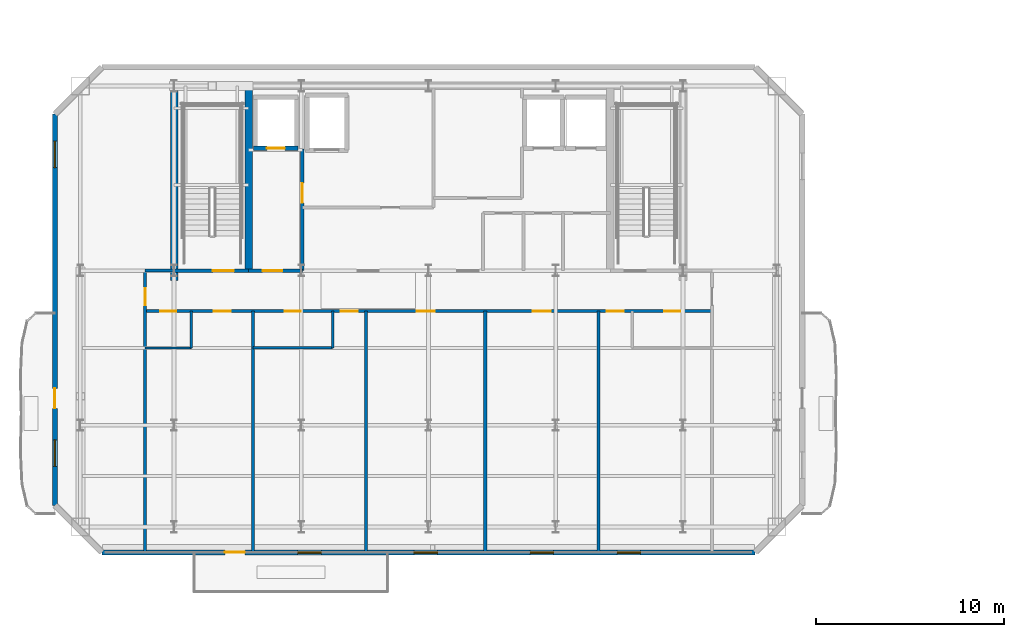
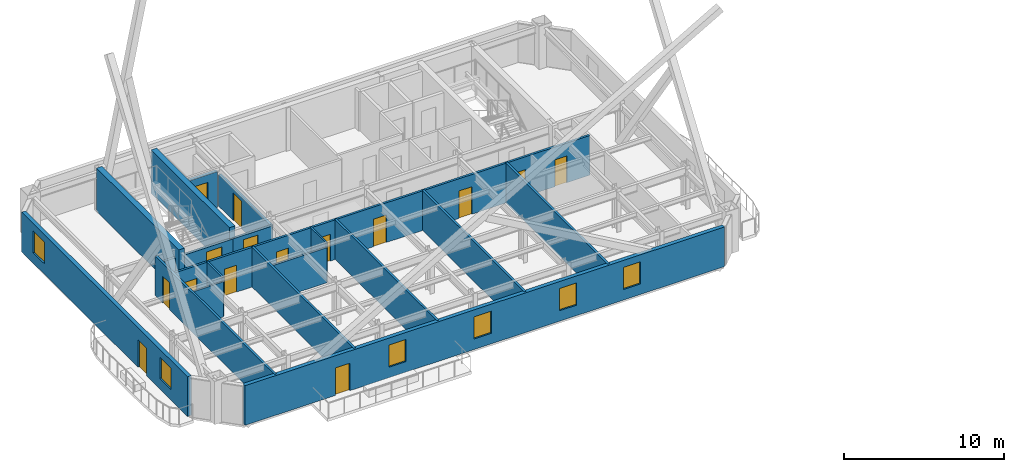
# One storey, part 3 of 9: 19 walls, 15 doors, 6 windows, 21 openings.
"""IFC4 building model written with IfcOpenShell, lengths in metres."""

from ifc_helpers import new_model, si_unit, direction, frame, frame_2d, origin, place, context, subcontext, project, spatial, rectangle, extrude, material, layer, layer_set, type_object, element, fill, save


model = new_model("IFC4")

# Units and contexts
model_context = context("Model", 3, precision=1e-05, world=origin(), true_north=direction((0.0, 1.0)))
body_context = subcontext(model_context, "Body", "Model", "MODEL_VIEW")
ifc_project = project(units=[si_unit("LENGTHUNIT", "METRE"), si_unit("AREAUNIT", "SQUARE_METRE"), si_unit("VOLUMEUNIT", "CUBIC_METRE"), si_unit("PLANEANGLEUNIT", "RADIAN"), si_unit("MASSUNIT", "GRAM", prefix="KILO")], contexts=[model_context])

# Site, building, storey
site_placement = place(None, origin())
site = spatial("IfcSite", under=ifc_project, at=site_placement, CompositionType="ELEMENT")
building_placement = place(site_placement, origin())
building = spatial("IfcBuilding", under=site, at=building_placement, Name="Haevon Station Towers", CompositionType="ELEMENT")
storey_placement = place(building_placement, frame((0.0, 0.0, 239.39990234375)))
storey = spatial("IfcBuildingStorey", under=building, at=storey_placement, Name="L66", CompositionType="ELEMENT", Elevation=239.39990234375)

# Wall, opening, door
ifc_material_1 = material(Name="Gypsum board on steel stud", Category="steel")
ifc_layer_1 = layer(ifc_material_1, 0.199951171875)
ifc_layer_set_1 = layer_set([ifc_layer_1], Name="Gypsum board on steel stud")
wall_type_1 = type_object("IfcWallType", Name="WL-COR200", PredefinedType="PARTITIONING", material=ifc_layer_set_1)
wall_1_placement = place(storey_placement, frame((24.0, 38.199951171875, 0.0), z_axis=(0.0, 0.0, 1.0), x_axis=(1.0, 0.0, 0.0)))
wall_1 = element("IfcWall", 1, at=wall_1_placement, inside=storey, type_object=wall_type_1, Name="WL-ST-ST1-L66", PredefinedType="PARTITIONING", context=body_context, shape_type="SweptSolid", body=[
    extrude(rectangle(XDim=3.949951171875, YDim=0.199951171875, at=frame_2d((1.97509765625, 0.0))), origin(), (0.0, 0.0, 1.0), 2.43017578125),
])
opening_1_placement = place(wall_1_placement, frame((2.050048828125, 0.0, 0.0)))
opening_1 = element("IfcOpeningElement", 2, at=opening_1_placement, cuts=wall_1, Name="Opening DR-ST-ST1-L66", PredefinedType="OPENING", context=body_context, shape_type="SweptSolid", body=[
    extrude(rectangle(XDim=1.1201171875, YDim=2.10009765625, at=frame_2d((0.56005859375, 1.050048828125))), frame((0.0, 0.10986328125, 0.0), z_axis=(0.0, -1.0, 0.0), x_axis=(1.0, 0.0, 0.0)), (0.0, 0.0, 1.0), 0.219970703125),
])
ifc_material_2 = material(Name="Engineered oak timber", Category="wood")
door_type_1 = type_object("IfcDoorType", Name="DR-ST-1120", OperationType="NOTDEFINED", PredefinedType="DOOR", material=ifc_material_2)
door_1_placement = place(opening_1_placement, origin())
door_1 = element("IfcDoor", 3, at=door_1_placement, inside=storey, type_object=door_type_1, Name="L66 Escape Stair ST1 Fire Door", OperationType="SINGLE_SWING_RIGHT", OverallHeight=2.10009765625, OverallWidth=1.1201171875, PredefinedType="DOOR", context=body_context, shape_type="SweptSolid", body=[
    extrude(rectangle(XDim=1.1201171875, YDim=2.10009765625, at=frame_2d((0.56005859375, 1.050048828125))), frame((0.0, 0.02490234375, 0.0), z_axis=(0.0, -1.0, 0.0), x_axis=(1.0, 0.0, 0.0)), (0.0, 0.0, 1.0), 0.050048828125),
])
fill(opening_1, door_1)

wall_2_placement = place(storey_placement, frame((30.800048828125, 38.199951171875, 0.0), z_axis=(0.0, 0.0, 1.0), x_axis=(0.0, 1.0, 0.0)))
wall_2 = element("IfcWall", 4, at=wall_2_placement, inside=storey, type_object=wall_type_1, Name="WL-T1FFL-L66-E", PredefinedType="PARTITIONING", context=body_context, shape_type="SweptSolid", body=[
    extrude(rectangle(XDim=6.449951171875, YDim=0.199951171875, at=frame_2d((3.22509765625, 0.0))), origin(), (0.0, 0.0, 1.0), 2.43017578125),
])
opening_2_placement = place(wall_2_placement, frame((3.590087890625, 0.0, 0.0)))
opening_2 = element("IfcOpeningElement", 5, at=opening_2_placement, cuts=wall_2, Name="Opening DR-T1FFL-L66-E", PredefinedType="OPENING", context=body_context, shape_type="SweptSolid", body=[
    extrude(rectangle(XDim=1.050048828125, YDim=2.10009765625, at=frame_2d((0.52490234375, 1.050048828125))), frame((0.0, 0.10986328125, 0.0), z_axis=(0.0, -1.0, 0.0), x_axis=(1.0, 0.0, 0.0)), (0.0, 0.0, 1.0), 0.219970703125),
])
door_type_2 = type_object("IfcDoorType", Name="DR-FD60-1050", OperationType="NOTDEFINED", PredefinedType="DOOR", material=ifc_material_2)
door_2_placement = place(opening_2_placement, origin())
door_2 = element("IfcDoor", 6, at=door_2_placement, inside=storey, type_object=door_type_2, Name="L66 Tower 1 Firefighting Lift Lobby Door E", OperationType="SINGLE_SWING_RIGHT", OverallHeight=2.10009765625, OverallWidth=1.050048828125, PredefinedType="DOOR", context=body_context, shape_type="SweptSolid", body=[
    extrude(rectangle(XDim=1.050048828125, YDim=2.10009765625, at=frame_2d((0.52490234375, 1.050048828125))), frame((0.0, 0.02490234375, 0.0), z_axis=(0.0, -1.0, 0.0), x_axis=(1.0, 0.0, 0.0)), (0.0, 0.0, 1.0), 0.050048828125),
])
fill(opening_2, door_2)

wall_3_placement = place(storey_placement, frame((27.949951171875, 38.199951171875, 0.0), z_axis=(0.0, 0.0, 1.0), x_axis=(1.0, 0.0, 0.0)))
wall_3 = element("IfcWall", 7, at=wall_3_placement, inside=storey, type_object=wall_type_1, Name="WL-T1FFL-L66-S", PredefinedType="PARTITIONING", context=body_context, shape_type="SweptSolid", body=[
    extrude(rectangle(XDim=2.85009765625, YDim=0.199951171875, at=frame_2d((1.425048828125, 0.0))), origin(), (0.0, 0.0, 1.0), 2.43017578125),
])
opening_3_placement = place(wall_3_placement, frame((0.75, 0.0, 0.0)))
opening_3 = element("IfcOpeningElement", 8, at=opening_3_placement, cuts=wall_3, Name="Opening DR-T1FFL-L66-S", PredefinedType="OPENING", context=body_context, shape_type="SweptSolid", body=[
    extrude(rectangle(XDim=1.050048828125, YDim=2.10009765625, at=frame_2d((0.52490234375, 1.050048828125))), frame((0.0, 0.10986328125, 0.0), z_axis=(0.0, -1.0, 0.0), x_axis=(1.0, 0.0, 0.0)), (0.0, 0.0, 1.0), 0.219970703125),
])
door_3_placement = place(opening_3_placement, origin())
door_3 = element("IfcDoor", 9, at=door_3_placement, inside=storey, type_object=door_type_2, Name="L66 Tower 1 Firefighting Lift Lobby Door S", OperationType="SINGLE_SWING_LEFT", OverallHeight=2.10009765625, OverallWidth=1.050048828125, PredefinedType="DOOR", context=body_context, shape_type="SweptSolid", body=[
    extrude(rectangle(XDim=1.050048828125, YDim=2.10009765625, at=frame_2d((0.52490234375, 1.050048828125))), frame((0.0, 0.02490234375, 0.0), z_axis=(0.0, -1.0, 0.0), x_axis=(1.0, 0.0, 0.0)), (0.0, 0.0, 1.0), 0.050048828125),
])
fill(opening_3, door_3)

# Walls
ifc_material_3 = material(Name="Concrete C60/75", Category="concrete")
ifc_layer_2 = layer(ifc_material_3, 0.39990234375)
ifc_layer_set_2 = layer_set([ifc_layer_2], Name="Concrete C60/75")
wall_type_2 = type_object("IfcWallType", Name="WL-CR400", PredefinedType="SHEAR", material=ifc_layer_set_2)
wall_4_placement = place(storey_placement, frame((24.0, 37.679931640625, 0.0), z_axis=(0.0, 0.0, 1.0), x_axis=(0.0, 1.0, 0.0)))
element("IfcWall", 10, at=wall_4_placement, inside=storey, type_object=wall_type_2, Name="WL-T1CR-L66-W", PredefinedType="SHEAR", context=body_context, shape_type="SweptSolid", body=[
    extrude(rectangle(XDim=10.320068359375, YDim=0.39990234375, at=frame_2d((5.16015625, 0.0))), origin(), (0.0, 0.0, 1.0), 3.300048828125),
])
wall_5_placement = place(storey_placement, frame((27.949951171875, 38.199951171875, 0.0), z_axis=(0.0, 0.0, 1.0), x_axis=(0.0, 1.0, 0.0)))
element("IfcWall", 11, at=wall_5_placement, inside=storey, type_object=wall_type_2, Name="WL-T1CR-L66-M1", PredefinedType="SHEAR", context=body_context, shape_type="SweptSolid", body=[
    extrude(rectangle(XDim=9.800048828125, YDim=0.39990234375, at=frame_2d((4.89990234375, 0.0))), origin(), (0.0, 0.0, 1.0), 3.300048828125),
])

# Wall, openings, door, windows
ifc_material_4 = material(Name="Precast concrete C45/55", Category="concrete")
ifc_layer_3 = layer(ifc_material_4, 0.280029296875)
ifc_layer_set_3 = layer_set([ifc_layer_3], Name="Precast concrete C45/55")
wall_type_3 = type_object("IfcWallType", Name="WL-EXT-PIER280", PredefinedType="SOLIDWALL", material=ifc_layer_set_3)
wall_6_placement = place(storey_placement, frame((54.824951171875, 23.25, 0.0), z_axis=(0.0, 0.0, 1.0), x_axis=(-1.0, 0.0, 0.0)))
wall_6 = element("IfcWall", 12, at=wall_6_placement, inside=storey, type_object=wall_type_3, Name="WL-T1-L66-S", PredefinedType="SOLIDWALL", context=body_context, shape_type="SweptSolid", body=[
    extrude(rectangle(XDim=34.64990234375, YDim=0.280029296875, at=frame_2d((17.324951171875, 0.0))), origin(), (0.0, 0.0, 1.0), 3.030029296875),
])
opening_4_placement = place(wall_6_placement, frame((27.076904296875, 0.0, 0.0)))
opening_4 = element("IfcOpeningElement", 13, at=opening_4_placement, cuts=wall_6, Name="Opening DR-T1-PBAND-L66-1", PredefinedType="OPENING", context=body_context, shape_type="SweptSolid", body=[
    extrude(rectangle(XDim=1.050048828125, YDim=2.10009765625, at=frame_2d((0.52490234375, 1.050048828125))), frame((0.0, 0.14990234375, 0.0), z_axis=(0.0, -1.0, 0.0), x_axis=(1.0, 0.0, 0.0)), (0.0, 0.0, 1.0), 0.300048828125),
])
opening_5_placement = place(wall_6_placement, frame((23.01611328125, 0.0, 0.800048828125)))
opening_5 = element("IfcOpeningElement", 14, at=opening_5_placement, cuts=wall_6, Name="Opening WN-P125", PredefinedType="OPENING", context=body_context, shape_type="SweptSolid", body=[
    extrude(rectangle(XDim=1.25, YDim=1.699951171875, at=frame_2d((0.625, 0.85009765625))), frame((0.0, 0.14990234375, 0.0), z_axis=(0.0, -1.0, 0.0), x_axis=(1.0, 0.0, 0.0)), (0.0, 0.0, 1.0), 0.300048828125),
])
opening_6_placement = place(wall_6_placement, frame((16.850341796875, 0.0, 0.800048828125)))
opening_6 = element("IfcOpeningElement", 15, at=opening_6_placement, cuts=wall_6, Name="Opening WN-P125", PredefinedType="OPENING", context=body_context, shape_type="SweptSolid", body=[
    extrude(rectangle(XDim=1.25, YDim=1.699951171875, at=frame_2d((0.625, 0.85009765625))), frame((0.0, 0.14990234375, 0.0), z_axis=(0.0, -1.0, 0.0), x_axis=(1.0, 0.0, 0.0)), (0.0, 0.0, 1.0), 0.300048828125),
])
opening_7_placement = place(wall_6_placement, frame((10.684814453125, 0.0, 0.800048828125)))
opening_7 = element("IfcOpeningElement", 16, at=opening_7_placement, cuts=wall_6, Name="Opening WN-P125", PredefinedType="OPENING", context=body_context, shape_type="SweptSolid", body=[
    extrude(rectangle(XDim=1.25, YDim=1.699951171875, at=frame_2d((0.625, 0.85009765625))), frame((0.0, 0.14990234375, 0.0), z_axis=(0.0, -1.0, 0.0), x_axis=(1.0, 0.0, 0.0)), (0.0, 0.0, 1.0), 0.300048828125),
])
opening_8_placement = place(wall_6_placement, frame((6.0712890625, 0.0, 0.800048828125)))
opening_8 = element("IfcOpeningElement", 17, at=opening_8_placement, cuts=wall_6, Name="Opening WN-P125", PredefinedType="OPENING", context=body_context, shape_type="SweptSolid", body=[
    extrude(rectangle(XDim=1.25, YDim=1.699951171875, at=frame_2d((0.625, 0.85009765625))), frame((0.0, 0.14990234375, 0.0), z_axis=(0.0, -1.0, 0.0), x_axis=(1.0, 0.0, 0.0)), (0.0, 0.0, 1.0), 0.300048828125),
])
ifc_material_5 = material(Name="Thermally broken anodised aluminium and laminated safety glass", Category="aluminium")
door_type_3 = type_object("IfcDoorType", Name="DR-BALC-1050", OperationType="NOTDEFINED", PredefinedType="DOOR", material=ifc_material_5)
door_4_placement = place(opening_4_placement, origin())
door_4 = element("IfcDoor", 18, at=door_4_placement, inside=storey, type_object=door_type_3, Name="Tower 1 L66 Balcony Terrace Door", OperationType="SINGLE_SWING_RIGHT", OverallHeight=2.10009765625, OverallWidth=1.050048828125, PredefinedType="DOOR", context=body_context, shape_type="SweptSolid", body=[
    extrude(rectangle(XDim=1.050048828125, YDim=2.10009765625, at=frame_2d((0.52490234375, 1.050048828125))), frame((0.0, 0.02490234375, 0.0), z_axis=(0.0, -1.0, 0.0), x_axis=(1.0, 0.0, 0.0)), (0.0, 0.0, 1.0), 0.050048828125),
])
fill(opening_4, door_4)
ifc_material_6 = material(Name="Low-E triple glazing in thermally broken aluminium", Category="aluminium")
window_type_1 = type_object("IfcWindowType", Name="WN-P125", PartitioningType="SINGLE_PANEL", PredefinedType="WINDOW", material=ifc_material_6)
window_1_placement = place(opening_5_placement, origin())
window_1 = element("IfcWindow", 19, at=window_1_placement, inside=storey, type_object=window_type_1, Name="WN-T1-L66-S01", OverallHeight=1.699951171875, OverallWidth=1.25, PartitioningType="SINGLE_PANEL", PredefinedType="WINDOW", context=body_context, shape_type="SweptSolid", body=[
    extrude(rectangle(XDim=1.25, YDim=1.699951171875, at=frame_2d((0.625, 0.85009765625))), frame((0.0, 0.030029296875, 0.0), z_axis=(0.0, -1.0, 0.0), x_axis=(1.0, 0.0, 0.0)), (0.0, 0.0, 1.0), 0.06005859375),
])
fill(opening_5, window_1)
window_2_placement = place(opening_6_placement, origin())
window_2 = element("IfcWindow", 20, at=window_2_placement, inside=storey, type_object=window_type_1, Name="WN-T1-L66-S02", OverallHeight=1.699951171875, OverallWidth=1.25, PartitioningType="SINGLE_PANEL", PredefinedType="WINDOW", context=body_context, shape_type="SweptSolid", body=[
    extrude(rectangle(XDim=1.25, YDim=1.699951171875, at=frame_2d((0.625, 0.85009765625))), frame((0.0, 0.030029296875, 0.0), z_axis=(0.0, -1.0, 0.0), x_axis=(1.0, 0.0, 0.0)), (0.0, 0.0, 1.0), 0.06005859375),
])
fill(opening_6, window_2)
window_3_placement = place(opening_7_placement, origin())
window_3 = element("IfcWindow", 21, at=window_3_placement, inside=storey, type_object=window_type_1, Name="WN-T1-L66-S03", OverallHeight=1.699951171875, OverallWidth=1.25, PartitioningType="SINGLE_PANEL", PredefinedType="WINDOW", context=body_context, shape_type="SweptSolid", body=[
    extrude(rectangle(XDim=1.25, YDim=1.699951171875, at=frame_2d((0.625, 0.85009765625))), frame((0.0, 0.030029296875, 0.0), z_axis=(0.0, -1.0, 0.0), x_axis=(1.0, 0.0, 0.0)), (0.0, 0.0, 1.0), 0.06005859375),
])
fill(opening_7, window_3)
window_4_placement = place(opening_8_placement, origin())
window_4 = element("IfcWindow", 22, at=window_4_placement, inside=storey, type_object=window_type_1, Name="WN-T1-L66-S04", OverallHeight=1.699951171875, OverallWidth=1.25, PartitioningType="SINGLE_PANEL", PredefinedType="WINDOW", context=body_context, shape_type="SweptSolid", body=[
    extrude(rectangle(XDim=1.25, YDim=1.699951171875, at=frame_2d((0.625, 0.85009765625))), frame((0.0, 0.030029296875, 0.0), z_axis=(0.0, -1.0, 0.0), x_axis=(1.0, 0.0, 0.0)), (0.0, 0.0, 1.0), 0.06005859375),
])
fill(opening_8, window_4)

wall_7_placement = place(storey_placement, frame((17.675048828125, 25.75, 0.0), z_axis=(0.0, 0.0, 1.0), x_axis=(0.0, 1.0, 0.0)))
wall_7 = element("IfcWall", 23, at=wall_7_placement, inside=storey, type_object=wall_type_3, Name="WL-T1-L66-W", PredefinedType="SOLIDWALL", context=body_context, shape_type="SweptSolid", body=[
    extrude(rectangle(XDim=20.75, YDim=0.280029296875, at=frame_2d((10.375, 0.0))), origin(), (0.0, 0.0, 1.0), 3.030029296875),
])
opening_9_placement = place(wall_7_placement, frame((5.14990234375, 0.0, 0.0)))
opening_9 = element("IfcOpeningElement", 24, at=opening_9_placement, cuts=wall_7, Name="Opening DR-T1-SCAL-L66-W", PredefinedType="OPENING", context=body_context, shape_type="SweptSolid", body=[
    extrude(rectangle(XDim=1.050048828125, YDim=2.10009765625, at=frame_2d((0.52490234375, 1.050048828125))), frame((0.0, 0.14990234375, 0.0), z_axis=(0.0, -1.0, 0.0), x_axis=(1.0, 0.0, 0.0)), (0.0, 0.0, 1.0), 0.300048828125),
])
opening_10_placement = place(wall_7_placement, frame((2.06787109375, 0.0, 0.800048828125)))
opening_10 = element("IfcOpeningElement", 25, at=opening_10_placement, cuts=wall_7, Name="Opening WN-END140", PredefinedType="OPENING", context=body_context, shape_type="SweptSolid", body=[
    extrude(rectangle(XDim=1.39990234375, YDim=1.64990234375, at=frame_2d((0.699951171875, 0.824951171875))), frame((0.0, 0.14990234375, 0.0), z_axis=(0.0, -1.0, 0.0), x_axis=(1.0, 0.0, 0.0)), (0.0, 0.0, 1.0), 0.300048828125),
])
opening_11_placement = place(wall_7_placement, frame((17.916015625, 0.0, 0.800048828125)))
opening_11 = element("IfcOpeningElement", 26, at=opening_11_placement, cuts=wall_7, Name="Opening WN-END140", PredefinedType="OPENING", context=body_context, shape_type="SweptSolid", body=[
    extrude(rectangle(XDim=1.39990234375, YDim=1.64990234375, at=frame_2d((0.699951171875, 0.824951171875))), frame((0.0, 0.14990234375, 0.0), z_axis=(0.0, -1.0, 0.0), x_axis=(1.0, 0.0, 0.0)), (0.0, 0.0, 1.0), 0.300048828125),
])
door_5_placement = place(opening_9_placement, origin())
door_5 = element("IfcDoor", 27, at=door_5_placement, inside=storey, type_object=door_type_3, Name="Tower 1 L66 West Scalloped Balcony Door", OperationType="SINGLE_SWING_LEFT", OverallHeight=2.10009765625, OverallWidth=1.050048828125, PredefinedType="DOOR", context=body_context, shape_type="SweptSolid", body=[
    extrude(rectangle(XDim=1.050048828125, YDim=2.10009765625, at=frame_2d((0.52490234375, 1.050048828125))), frame((0.0, 0.02490234375, 0.0), z_axis=(0.0, -1.0, 0.0), x_axis=(1.0, 0.0, 0.0)), (0.0, 0.0, 1.0), 0.050048828125),
])
fill(opening_9, door_5)
window_type_2 = type_object("IfcWindowType", Name="WN-END140", PartitioningType="SINGLE_PANEL", PredefinedType="WINDOW", material=ifc_material_6)
window_5_placement = place(opening_10_placement, origin())
window_5 = element("IfcWindow", 28, at=window_5_placement, inside=storey, type_object=window_type_2, Name="WN-T1-L66-W01", OverallHeight=1.64990234375, OverallWidth=1.39990234375, PartitioningType="SINGLE_PANEL", PredefinedType="WINDOW", context=body_context, shape_type="SweptSolid", body=[
    extrude(rectangle(XDim=1.39990234375, YDim=1.64990234375, at=frame_2d((0.699951171875, 0.824951171875))), frame((0.0, 0.030029296875, 0.0), z_axis=(0.0, -1.0, 0.0), x_axis=(1.0, 0.0, 0.0)), (0.0, 0.0, 1.0), 0.06005859375),
])
fill(opening_10, window_5)
window_6_placement = place(opening_11_placement, origin())
window_6 = element("IfcWindow", 29, at=window_6_placement, inside=storey, type_object=window_type_2, Name="WN-T1-L66-W02", OverallHeight=1.64990234375, OverallWidth=1.39990234375, PartitioningType="SINGLE_PANEL", PredefinedType="WINDOW", context=body_context, shape_type="SweptSolid", body=[
    extrude(rectangle(XDim=1.39990234375, YDim=1.64990234375, at=frame_2d((0.699951171875, 0.824951171875))), frame((0.0, 0.030029296875, 0.0), z_axis=(0.0, -1.0, 0.0), x_axis=(1.0, 0.0, 0.0)), (0.0, 0.0, 1.0), 0.06005859375),
])
fill(opening_11, window_6)

# Walls
ifc_layer_4 = layer(ifc_material_1, 0.125)
ifc_layer_set_4 = layer_set([ifc_layer_4], Name="Gypsum board on steel stud")
wall_type_4 = type_object("IfcWallType", Name="WL-PRT125", PredefinedType="PARTITIONING", material=ifc_layer_set_4)
wall_8_placement = place(storey_placement, frame((22.4619140625, 34.10009765625, 0.0), z_axis=(0.0, 0.0, 1.0), x_axis=(1.0, 0.0, 0.0)))
element("IfcWall", 30, at=wall_8_placement, inside=storey, type_object=wall_type_4, Name="WL-T1PT-L66-05", PredefinedType="PARTITIONING", context=body_context, shape_type="SweptSolid", body=[
    extrude(rectangle(XDim=2.4501953125, YDim=0.125, at=frame_2d((1.22509765625, 0.0))), origin(), (0.0, 0.0, 1.0), 2.68017578125),
])
wall_9_placement = place(storey_placement, frame((32.41162109375, 34.10009765625, 0.0), z_axis=(0.0, 0.0, 1.0), x_axis=(0.0, 1.0, 0.0)))
element("IfcWall", 31, at=wall_9_placement, inside=storey, type_object=wall_type_4, Name="WL-T1PT-L66-09", PredefinedType="PARTITIONING", context=body_context, shape_type="SweptSolid", body=[
    extrude(rectangle(XDim=1.949951171875, YDim=0.125, at=frame_2d((0.97509765625, 0.0))), origin(), (0.0, 0.0, 1.0), 3.030029296875),
])
ifc_layer_5 = layer(ifc_material_1, 0.139892578125)
ifc_layer_set_5 = layer_set([ifc_layer_5], Name="Gypsum board on steel stud")
wall_type_5 = type_object("IfcWallType", Name="WL-PRT140", PredefinedType="PARTITIONING", material=ifc_layer_set_5)
wall_10_placement = place(storey_placement, frame((24.912109375, 34.10009765625, 0.0), z_axis=(0.0, 0.0, 1.0), x_axis=(0.0, 1.0, 0.0)))
element("IfcWall", 32, at=wall_10_placement, inside=storey, type_object=wall_type_5, Name="WL-T1PT-L66-06", PredefinedType="PARTITIONING", context=body_context, shape_type="SweptSolid", body=[
    extrude(rectangle(XDim=1.949951171875, YDim=0.139892578125, at=frame_2d((0.97509765625, 0.0))), origin(), (0.0, 0.0, 1.0), 3.030029296875),
])
wall_11_placement = place(storey_placement, frame((28.176513671875, 34.10009765625, 0.0), z_axis=(0.0, 0.0, 1.0), x_axis=(1.0, 0.0, 0.0)))
element("IfcWall", 33, at=wall_11_placement, inside=storey, type_object=wall_type_5, Name="WL-T1PT-L66-08", PredefinedType="PARTITIONING", context=body_context, shape_type="SweptSolid", body=[
    extrude(rectangle(XDim=4.235107421875, YDim=0.139892578125, at=frame_2d((2.11767578125, 0.0))), origin(), (0.0, 0.0, 1.0), 2.68017578125),
])
ifc_layer_6 = layer(ifc_material_1, 0.159912109375)
ifc_layer_set_6 = layer_set([ifc_layer_6], Name="Gypsum board on steel stud")
wall_type_6 = type_object("IfcWallType", Name="WL-PRT160", PredefinedType="PARTITIONING", material=ifc_layer_set_6)
wall_12_placement = place(storey_placement, frame((22.4619140625, 38.199951171875, 0.0), z_axis=(0.0, 0.0, 1.0), x_axis=(1.0, 0.0, 0.0)))
element("IfcWall", 34, at=wall_12_placement, inside=storey, type_object=wall_type_6, Name="WL-T1PT-L66-01", PredefinedType="PARTITIONING", context=body_context, shape_type="SweptSolid", body=[
    extrude(rectangle(XDim=1.5380859375, YDim=0.159912109375, at=frame_2d((0.76904296875, 0.0))), origin(), (0.0, 0.0, 1.0), 2.43017578125),
])

# Wall, opening, door
wall_13_placement = place(storey_placement, frame((22.4619140625, 23.25, 0.0), z_axis=(0.0, 0.0, 1.0), x_axis=(0.0, 1.0, 0.0)))
wall_13 = element("IfcWall", 35, at=wall_13_placement, inside=storey, type_object=wall_type_6, Name="WL-T1PT-L66-03", PredefinedType="PARTITIONING", context=body_context, shape_type="SweptSolid", body=[
    extrude(rectangle(XDim=14.949951171875, YDim=0.159912109375, at=frame_2d((7.47509765625, 0.0))), origin(), (0.0, 0.0, 1.0), 3.030029296875),
])
opening_12_placement = place(wall_13_placement, frame((13.1201171875, 0.0, 0.0)))
opening_12 = element("IfcOpeningElement", 36, at=opening_12_placement, cuts=wall_13, Name="Opening DR-WL-T1PT-L66-03-01", PredefinedType="OPENING", context=body_context, shape_type="SweptSolid", body=[
    extrude(rectangle(XDim=0.89990234375, YDim=2.050048828125, at=frame_2d((0.449951171875, 1.02490234375))), frame((0.0, 0.08984375, 0.0), z_axis=(0.0, -1.0, 0.0), x_axis=(1.0, 0.0, 0.0)), (0.0, 0.0, 1.0), 0.179931640625),
])
door_type_4 = type_object("IfcDoorType", Name="DR-INT-900", OperationType="NOTDEFINED", PredefinedType="DOOR", material=ifc_material_2)
door_6_placement = place(opening_12_placement, origin())
door_6 = element("IfcDoor", 37, at=door_6_placement, inside=storey, type_object=door_type_4, Name="L66 Tower 1 Room Door 3-1", OperationType="SINGLE_SWING_RIGHT", OverallHeight=2.050048828125, OverallWidth=0.89990234375, PredefinedType="DOOR", context=body_context, shape_type="SweptSolid", body=[
    extrude(rectangle(XDim=0.89990234375, YDim=2.050048828125, at=frame_2d((0.449951171875, 1.02490234375))), frame((0.0, 0.02490234375, 0.0), z_axis=(0.0, -1.0, 0.0), x_axis=(1.0, 0.0, 0.0)), (0.0, 0.0, 1.0), 0.050048828125),
])
fill(opening_12, door_6)

# Walls
for number, where, z_axis, x_axis, name in (
    (38, (28.176513671875, 23.25, 0.0), (0.0, 0.0, 1.0), (0.0, 1.0, 0.0), "WL-T1PT-L66-07"),
    (39, (34.191650390625, 23.25, 0.0), (0.0, 0.0, 1.0), (0.0, 1.0, 0.0), "WL-T1PT-L66-10"),
    (40, (40.507568359375, 23.25, 0.0), (0.0, 0.0, 1.0), (0.0, 1.0, 0.0), "WL-T1PT-L66-11"),
    (41, (46.522705078125, 23.25, 0.0), (0.0, 0.0, 1.0), (0.0, 1.0, 0.0), "WL-T1PT-L66-12"),
):
    element("IfcWall", number, at=place(storey_placement, frame(where, z_axis=z_axis, x_axis=x_axis)), inside=storey, type_object=wall_type_6, Name=name, PredefinedType="PARTITIONING", context=body_context, shape_type="SweptSolid", body=[
        extrude(rectangle(XDim=12.800048828125, YDim=0.159912109375, at=frame_2d((6.39990234375, 0.0))), origin(), (0.0, 0.0, 1.0), 3.030029296875),
    ])

# Wall, openings, doors
wall_14_placement = place(storey_placement, frame((22.4619140625, 36.050048828125, 0.0), z_axis=(0.0, 0.0, 1.0), x_axis=(1.0, 0.0, 0.0)))
wall_14 = element("IfcWall", 42, at=wall_14_placement, inside=storey, type_object=wall_type_6, Name="WL-T1PT-L66-15", PredefinedType="PARTITIONING", context=body_context, shape_type="SweptSolid", body=[
    extrude(rectangle(XDim=30.076171875, YDim=0.159912109375, at=frame_2d((15.0380859375, 0.0))), origin(), (0.0, 0.0, 1.0), 3.030029296875),
])
opening_13_placement = place(wall_14_placement, frame((0.800048828125, 0.0, 0.0)))
opening_13 = element("IfcOpeningElement", 43, at=opening_13_placement, cuts=wall_14, Name="Opening DR-WL-T1PT-L66-15-01", PredefinedType="OPENING", context=body_context, shape_type="SweptSolid", body=[
    extrude(rectangle(XDim=0.85009765625, YDim=2.050048828125, at=frame_2d((0.425048828125, 1.02490234375))), frame((0.0, 0.08984375, 0.0), z_axis=(0.0, -1.0, 0.0), x_axis=(1.0, 0.0, 0.0)), (0.0, 0.0, 1.0), 0.179931640625),
])
opening_14_placement = place(wall_14_placement, frame((3.632080078125, 0.0, 0.0)))
opening_14 = element("IfcOpeningElement", 44, at=opening_14_placement, cuts=wall_14, Name="Opening DR-WL-T1PT-L66-15-02", PredefinedType="OPENING", context=body_context, shape_type="SweptSolid", body=[
    extrude(rectangle(XDim=0.89990234375, YDim=2.050048828125, at=frame_2d((0.449951171875, 1.02490234375))), frame((0.0, 0.08984375, 0.0), z_axis=(0.0, -1.0, 0.0), x_axis=(1.0, 0.0, 0.0)), (0.0, 0.0, 1.0), 0.179931640625),
])
opening_15_placement = place(wall_14_placement, frame((7.406982421875, 0.0, 0.0)))
opening_15 = element("IfcOpeningElement", 45, at=opening_15_placement, cuts=wall_14, Name="Opening DR-WL-T1PT-L66-15-03", PredefinedType="OPENING", context=body_context, shape_type="SweptSolid", body=[
    extrude(rectangle(XDim=0.85009765625, YDim=2.050048828125, at=frame_2d((0.425048828125, 1.02490234375))), frame((0.0, 0.08984375, 0.0), z_axis=(0.0, -1.0, 0.0), x_axis=(1.0, 0.0, 0.0)), (0.0, 0.0, 1.0), 0.179931640625),
])
opening_16_placement = place(wall_14_placement, frame((10.389892578125, 0.0, 0.0)))
opening_16 = element("IfcOpeningElement", 46, at=opening_16_placement, cuts=wall_14, Name="Opening DR-WL-T1PT-L66-15-04", PredefinedType="OPENING", context=body_context, shape_type="SweptSolid", body=[
    extrude(rectangle(XDim=0.89990234375, YDim=2.050048828125, at=frame_2d((0.449951171875, 1.02490234375))), frame((0.0, 0.08984375, 0.0), z_axis=(0.0, -1.0, 0.0), x_axis=(1.0, 0.0, 0.0)), (0.0, 0.0, 1.0), 0.179931640625),
])
opening_17_placement = place(wall_14_placement, frame((14.4130859375, 0.0, 0.0)))
opening_17 = element("IfcOpeningElement", 47, at=opening_17_placement, cuts=wall_14, Name="Opening DR-WL-T1PT-L66-15-05", PredefinedType="OPENING", context=body_context, shape_type="SweptSolid", body=[
    extrude(rectangle(XDim=0.949951171875, YDim=2.10009765625, at=frame_2d((0.47509765625, 1.050048828125))), frame((0.0, 0.08984375, 0.0), z_axis=(0.0, -1.0, 0.0), x_axis=(1.0, 0.0, 0.0)), (0.0, 0.0, 1.0), 0.179931640625),
])
opening_18_placement = place(wall_14_placement, frame((20.577880859375, 0.0, 0.0)))
opening_18 = element("IfcOpeningElement", 48, at=opening_18_placement, cuts=wall_14, Name="Opening DR-WL-T1PT-L66-15-06", PredefinedType="OPENING", context=body_context, shape_type="SweptSolid", body=[
    extrude(rectangle(XDim=0.949951171875, YDim=2.10009765625, at=frame_2d((0.47509765625, 1.050048828125))), frame((0.0, 0.08984375, 0.0), z_axis=(0.0, -1.0, 0.0), x_axis=(1.0, 0.0, 0.0)), (0.0, 0.0, 1.0), 0.179931640625),
])
opening_19_placement = place(wall_14_placement, frame((27.532958984375, 0.0, 0.0)))
opening_19 = element("IfcOpeningElement", 49, at=opening_19_placement, cuts=wall_14, Name="Opening DR-WL-T1PT-L66-15-07", PredefinedType="OPENING", context=body_context, shape_type="SweptSolid", body=[
    extrude(rectangle(XDim=0.85009765625, YDim=2.050048828125, at=frame_2d((0.425048828125, 1.02490234375))), frame((0.0, 0.08984375, 0.0), z_axis=(0.0, -1.0, 0.0), x_axis=(1.0, 0.0, 0.0)), (0.0, 0.0, 1.0), 0.179931640625),
])
opening_20_placement = place(wall_14_placement, frame((24.5009765625, 0.0, 0.0)))
opening_20 = element("IfcOpeningElement", 50, at=opening_20_placement, cuts=wall_14, Name="Opening DR-WL-T1PT-L66-15-08", PredefinedType="OPENING", context=body_context, shape_type="SweptSolid", body=[
    extrude(rectangle(XDim=0.89990234375, YDim=2.050048828125, at=frame_2d((0.449951171875, 1.02490234375))), frame((0.0, 0.08984375, 0.0), z_axis=(0.0, -1.0, 0.0), x_axis=(1.0, 0.0, 0.0)), (0.0, 0.0, 1.0), 0.179931640625),
])
door_type_5 = type_object("IfcDoorType", Name="DR-FD30-850", OperationType="NOTDEFINED", PredefinedType="DOOR", material=ifc_material_2)
door_7_placement = place(opening_13_placement, origin())
door_7 = element("IfcDoor", 51, at=door_7_placement, inside=storey, type_object=door_type_5, Name="L66 Tower 1 Room Door 15-1", OperationType="SINGLE_SWING_RIGHT", OverallHeight=2.050048828125, OverallWidth=0.85009765625, PredefinedType="DOOR", context=body_context, shape_type="SweptSolid", body=[
    extrude(rectangle(XDim=0.85009765625, YDim=2.050048828125, at=frame_2d((0.425048828125, 1.02490234375))), frame((0.0, 0.02490234375, 0.0), z_axis=(0.0, -1.0, 0.0), x_axis=(1.0, 0.0, 0.0)), (0.0, 0.0, 1.0), 0.050048828125),
])
fill(opening_13, door_7)
door_8_placement = place(opening_15_placement, origin())
door_8 = element("IfcDoor", 52, at=door_8_placement, inside=storey, type_object=door_type_5, Name="L66 Tower 1 Room Door 15-3", OperationType="SINGLE_SWING_RIGHT", OverallHeight=2.050048828125, OverallWidth=0.85009765625, PredefinedType="DOOR", context=body_context, shape_type="SweptSolid", body=[
    extrude(rectangle(XDim=0.85009765625, YDim=2.050048828125, at=frame_2d((0.425048828125, 1.02490234375))), frame((0.0, 0.02490234375, 0.0), z_axis=(0.0, -1.0, 0.0), x_axis=(1.0, 0.0, 0.0)), (0.0, 0.0, 1.0), 0.050048828125),
])
fill(opening_15, door_8)
door_9_placement = place(opening_19_placement, origin())
door_9 = element("IfcDoor", 53, at=door_9_placement, inside=storey, type_object=door_type_5, Name="L66 Tower 1 Room Door 15-7", OperationType="SINGLE_SWING_RIGHT", OverallHeight=2.050048828125, OverallWidth=0.85009765625, PredefinedType="DOOR", context=body_context, shape_type="SweptSolid", body=[
    extrude(rectangle(XDim=0.85009765625, YDim=2.050048828125, at=frame_2d((0.425048828125, 1.02490234375))), frame((0.0, 0.02490234375, 0.0), z_axis=(0.0, -1.0, 0.0), x_axis=(1.0, 0.0, 0.0)), (0.0, 0.0, 1.0), 0.050048828125),
])
fill(opening_19, door_9)
door_type_6 = type_object("IfcDoorType", Name="DR-FD30-950", OperationType="NOTDEFINED", PredefinedType="DOOR", material=ifc_material_2)
door_10_placement = place(opening_17_placement, origin())
door_10 = element("IfcDoor", 54, at=door_10_placement, inside=storey, type_object=door_type_6, Name="L66 Tower 1 Room Door 15-5", OperationType="SINGLE_SWING_RIGHT", OverallHeight=2.10009765625, OverallWidth=0.949951171875, PredefinedType="DOOR", context=body_context, shape_type="SweptSolid", body=[
    extrude(rectangle(XDim=0.949951171875, YDim=2.10009765625, at=frame_2d((0.47509765625, 1.050048828125))), frame((0.0, 0.02490234375, 0.0), z_axis=(0.0, -1.0, 0.0), x_axis=(1.0, 0.0, 0.0)), (0.0, 0.0, 1.0), 0.050048828125),
])
fill(opening_17, door_10)
door_11_placement = place(opening_18_placement, origin())
door_11 = element("IfcDoor", 55, at=door_11_placement, inside=storey, type_object=door_type_6, Name="L66 Tower 1 Room Door 15-6", OperationType="SINGLE_SWING_LEFT", OverallHeight=2.10009765625, OverallWidth=0.949951171875, PredefinedType="DOOR", context=body_context, shape_type="SweptSolid", body=[
    extrude(rectangle(XDim=0.949951171875, YDim=2.10009765625, at=frame_2d((0.47509765625, 1.050048828125))), frame((0.0, 0.02490234375, 0.0), z_axis=(0.0, -1.0, 0.0), x_axis=(1.0, 0.0, 0.0)), (0.0, 0.0, 1.0), 0.050048828125),
])
fill(opening_18, door_11)
door_12_placement = place(opening_14_placement, origin())
door_12 = element("IfcDoor", 56, at=door_12_placement, inside=storey, type_object=door_type_4, Name="L66 Tower 1 Room Door 15-2", OperationType="SINGLE_SWING_LEFT", OverallHeight=2.050048828125, OverallWidth=0.89990234375, PredefinedType="DOOR", context=body_context, shape_type="SweptSolid", body=[
    extrude(rectangle(XDim=0.89990234375, YDim=2.050048828125, at=frame_2d((0.449951171875, 1.02490234375))), frame((0.0, 0.02490234375, 0.0), z_axis=(0.0, -1.0, 0.0), x_axis=(1.0, 0.0, 0.0)), (0.0, 0.0, 1.0), 0.050048828125),
])
fill(opening_14, door_12)
door_13_placement = place(opening_16_placement, origin())
door_13 = element("IfcDoor", 57, at=door_13_placement, inside=storey, type_object=door_type_4, Name="L66 Tower 1 Room Door 15-4", OperationType="SINGLE_SWING_LEFT", OverallHeight=2.050048828125, OverallWidth=0.89990234375, PredefinedType="DOOR", context=body_context, shape_type="SweptSolid", body=[
    extrude(rectangle(XDim=0.89990234375, YDim=2.050048828125, at=frame_2d((0.449951171875, 1.02490234375))), frame((0.0, 0.02490234375, 0.0), z_axis=(0.0, -1.0, 0.0), x_axis=(1.0, 0.0, 0.0)), (0.0, 0.0, 1.0), 0.050048828125),
])
fill(opening_16, door_13)
door_14_placement = place(opening_20_placement, origin())
door_14 = element("IfcDoor", 58, at=door_14_placement, inside=storey, type_object=door_type_4, Name="L66 Tower 1 Room Door 15-8", OperationType="SINGLE_SWING_LEFT", OverallHeight=2.050048828125, OverallWidth=0.89990234375, PredefinedType="DOOR", context=body_context, shape_type="SweptSolid", body=[
    extrude(rectangle(XDim=0.89990234375, YDim=2.050048828125, at=frame_2d((0.449951171875, 1.02490234375))), frame((0.0, 0.02490234375, 0.0), z_axis=(0.0, -1.0, 0.0), x_axis=(1.0, 0.0, 0.0)), (0.0, 0.0, 1.0), 0.050048828125),
])
fill(opening_20, door_14)

# Wall, opening, door
ifc_material_7 = material(Name="Concrete C40/50", Category="concrete")
ifc_layer_7 = layer(ifc_material_7, 0.239990234375)
ifc_layer_set_7 = layer_set([ifc_layer_7], Name="Concrete C40/50")
wall_type_7 = type_object("IfcWallType", Name="WL-SHF240", PredefinedType="PARTITIONING", material=ifc_layer_set_7)
wall_15_placement = place(storey_placement, frame((28.219970703125, 44.699951171875, 0.0), z_axis=(0.0, 0.0, 1.0), x_axis=(1.0, 0.0, 0.0)))
wall_15 = element("IfcWall", 59, at=wall_15_placement, inside=storey, type_object=wall_type_7, Name="WL-SHF-FL1-L66", PredefinedType="PARTITIONING", context=body_context, shape_type="SweptSolid", body=[
    extrude(rectangle(XDim=2.360107421875, YDim=0.239990234375, at=frame_2d((1.18017578125, 0.0))), origin(), (0.0, 0.0, 1.0), 2.72998046875),
])
opening_21_placement = place(wall_15_placement, frame((0.705078125, 0.0, 0.0)))
opening_21 = element("IfcOpeningElement", 60, at=opening_21_placement, cuts=wall_15, Name="Opening LD-FL1-L66", PredefinedType="OPENING", context=body_context, shape_type="SweptSolid", body=[
    extrude(rectangle(XDim=0.949951171875, YDim=2.14990234375, at=frame_2d((0.47509765625, 1.074951171875))), frame((0.0, 0.1298828125, 0.0), z_axis=(0.0, -1.0, 0.0), x_axis=(1.0, 0.0, 0.0)), (0.0, 0.0, 1.0), 0.260009765625),
])
ifc_material_8 = material(Name="Stainless steel and rated core", Category="steel")
door_type_7 = type_object("IfcDoorType", Name="LD-FL950", OperationType="SLIDING_TO_LEFT", PredefinedType="DOOR", material=ifc_material_8)
door_15_placement = place(opening_21_placement, origin())
door_15 = element("IfcDoor", 61, at=door_15_placement, inside=storey, type_object=door_type_7, Name="L66 Lift FL1 Sliding Landing Door", OperationType="SLIDING_TO_LEFT", OverallHeight=2.14990234375, OverallWidth=0.949951171875, PredefinedType="DOOR", context=body_context, shape_type="SweptSolid", body=[
    extrude(rectangle(XDim=0.949951171875, YDim=2.14990234375, at=frame_2d((0.47509765625, 1.074951171875))), frame((0.0, 0.02490234375, 0.0), z_axis=(0.0, -1.0, 0.0), x_axis=(1.0, 0.0, 0.0)), (0.0, 0.0, 1.0), 0.050048828125),
])
fill(opening_21, door_15)

save(model, "model.ifc")
